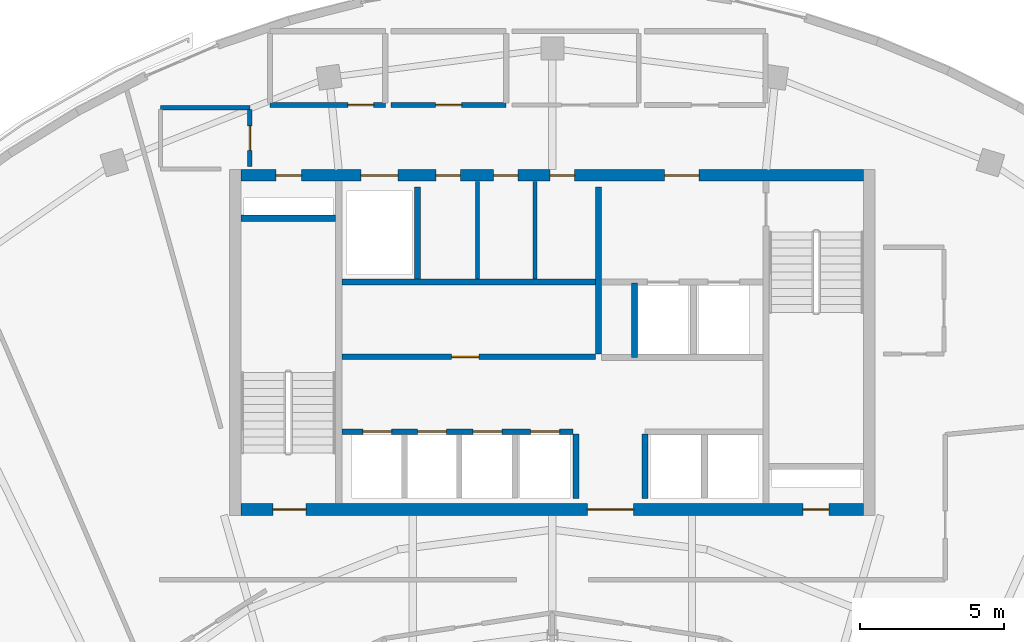
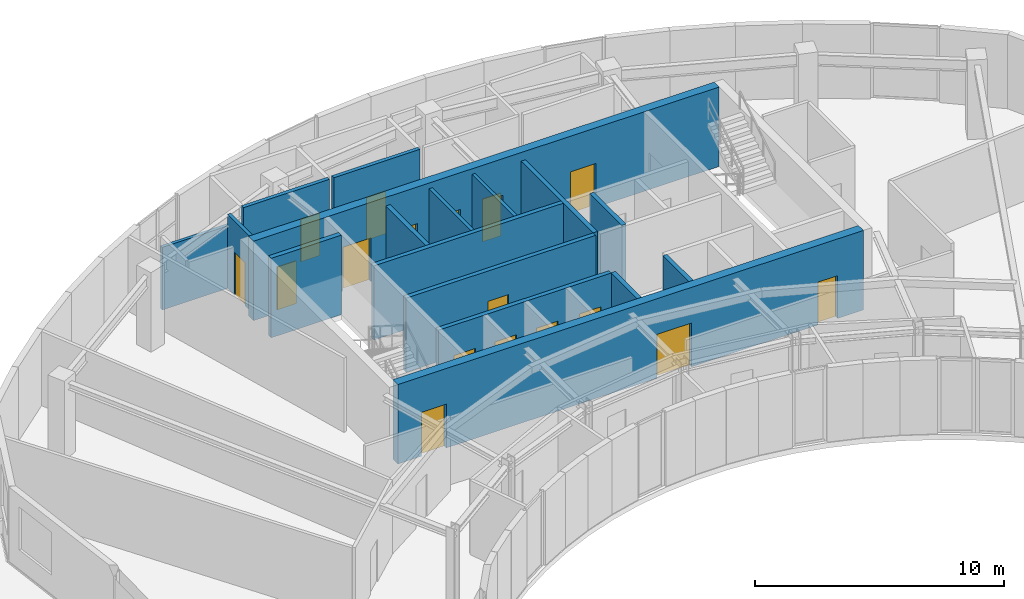
# One storey, part 7 of 11: 17 doors, 17 walls, 17 openings.
"""IFC4 building model written with IfcOpenShell, lengths in metres."""

from ifc_helpers import new_model, si_unit, direction, frame, frame_2d, origin, place, context, subcontext, project, spatial, rectangle, extrude, source, transform, mapped, material, layer, layer_set, type_object, type_shapes, element, fill, save


model = new_model("IFC4")

# Units and contexts
model_context = context("Model", 3, precision=1e-05, world=origin(), true_north=direction((0.0, 1.0)))
body_context = subcontext(model_context, "Body", "Model", "MODEL_VIEW")
ifc_project = project(units=[si_unit("LENGTHUNIT", "METRE"), si_unit("AREAUNIT", "SQUARE_METRE"), si_unit("VOLUMEUNIT", "CUBIC_METRE"), si_unit("PLANEANGLEUNIT", "RADIAN"), si_unit("MASSUNIT", "GRAM", prefix="KILO")], contexts=[model_context])

# Site, building, storey
site_placement = place(None, origin())
site = spatial("IfcSite", under=ifc_project, at=site_placement, CompositionType="ELEMENT")
building_placement = place(site_placement, origin())
building = spatial("IfcBuilding", under=site, at=building_placement, Name="Breltana Convention Tower", CompositionType="ELEMENT")
storey_placement = place(building_placement, frame((0.0, 0.0, 275.699951171875)))
storey = spatial("IfcBuildingStorey", under=building, at=storey_placement, Name="L67", CompositionType="ELEMENT", Elevation=275.699951171875)

# Wall
ifc_material_1 = material(Name="Concrete C50/60", Category="concrete")
ifc_layer_1 = layer(ifc_material_1, 0.39990234375, Name="Concrete C50/60")
ifc_layer_set_1 = layer_set([ifc_layer_1], Name="Concrete C50/60")
wall_type_1 = type_object("IfcWallType", Name="SW-CORE-400", PredefinedType="SHEAR", material=ifc_layer_set_1)
shared_shape_1 = source(origin(), body_context, "Body", "SweptSolid", [
    extrude(rectangle(XDim=3.27001953125, YDim=0.219970703125, at=frame_2d((1.635009765625, 0.0))), origin(), (0.0, 0.0, 1.0), 3.900146484375),
])
wall_1_placement = place(storey_placement, frame((37.199951171875, 70.510009765625, 0.0), z_axis=(0.0, 0.0, 1.0), x_axis=(1.0, 0.0, 0.0)))
element("IfcWall", 1, at=wall_1_placement, inside=storey, type_object=wall_type_1, Name="L67 ST-1 Stairwell North Bearing Wall", PredefinedType="SHEAR", context=body_context, shape_type="MappedRepresentation", body=[
    mapped(shared_shape_1, transform((0.0, 0.0, 0.0), scale=1.0)),
])

# Wall, openings, doors
shared_shape_2 = source(origin(), body_context, "Body", "SweptSolid", [
    extrude(rectangle(XDim=21.60009765625, YDim=0.39990234375, at=frame_2d((10.800048828125, 0.0))), origin(), (0.0, 0.0, 1.0), 3.900146484375),
])
wall_2_placement = place(storey_placement, frame((37.199951171875, 60.39990234375, 0.0), z_axis=(0.0, 0.0, 1.0), x_axis=(1.0, 0.0, 0.0)))
wall_2 = element("IfcWall", 2, at=wall_2_placement, inside=storey, type_object=wall_type_1, Name="L67 South Core Shear Wall", PredefinedType="SHEAR", context=body_context, shape_type="MappedRepresentation", body=[
    mapped(shared_shape_2, transform((0.0, 0.0, 0.0), scale=1.0)),
])
opening_1_placement = place(wall_2_placement, frame((1.10009765625, 0.0, 0.0)))
opening_1 = element("IfcOpeningElement", 3, at=opening_1_placement, cuts=wall_2, Name="Opening D-11", PredefinedType="OPENING", context=body_context, shape_type="SweptSolid", body=[
    extrude(rectangle(XDim=1.14990234375, YDim=2.14990234375, at=frame_2d((0.574951171875, 1.074951171875))), frame((0.0, 0.2099609375, 0.0), z_axis=(0.0, -1.0, 0.0), x_axis=(1.0, 0.0, 0.0)), (0.0, 0.0, 1.0), 0.419921875),
])
opening_2_placement = place(wall_2_placement, frame((19.5, 0.0, 0.0)))
opening_2 = element("IfcOpeningElement", 4, at=opening_2_placement, cuts=wall_2, Name="Opening D-18", PredefinedType="OPENING", context=body_context, shape_type="SweptSolid", body=[
    extrude(rectangle(XDim=0.89990234375, YDim=2.10009765625, at=frame_2d((0.449951171875, 1.050048828125))), frame((0.0, 0.2099609375, 0.0), z_axis=(0.0, -1.0, 0.0), x_axis=(1.0, 0.0, 0.0)), (0.0, 0.0, 1.0), 0.419921875),
])
opening_3_placement = place(wall_2_placement, frame((12.02001953125, 0.0, 0.0)))
opening_3 = element("IfcOpeningElement", 5, at=opening_3_placement, cuts=wall_2, Name="Opening D-02", PredefinedType="OPENING", context=body_context, shape_type="SweptSolid", body=[
    extrude(rectangle(XDim=1.60009765625, YDim=2.14990234375, at=frame_2d((0.800048828125, 1.074951171875))), frame((0.0, 0.2099609375, 0.0), z_axis=(0.0, -1.0, 0.0), x_axis=(1.0, 0.0, 0.0)), (0.0, 0.0, 1.0), 0.419921875),
])
ifc_material_2 = material(Name="Steel Stair Exit Door", Category="steel")
door_type_1 = type_object("IfcDoorType", Name="DR-FD120-1150", OperationType="NOTDEFINED", PredefinedType="DOOR", material=ifc_material_2)
shared_shape_3 = source(origin(), body_context, "Body", "SweptSolid", [
    extrude(rectangle(XDim=1.14990234375, YDim=2.14990234375, at=frame_2d((0.574951171875, 1.074951171875))), frame((0.0, 0.02490234375, 0.0), z_axis=(0.0, -1.0, 0.0), x_axis=(1.0, 0.0, 0.0)), (0.0, 0.0, 1.0), 0.050048828125),
])
type_shapes(door_type_1, [shared_shape_3])
door_1_placement = place(opening_1_placement, origin())
door_1 = element("IfcDoor", 6, at=door_1_placement, inside=storey, type_object=door_type_1, Name="L67 interior door D-L67-ST1", OperationType="SINGLE_SWING_LEFT", OverallHeight=2.14990234375, OverallWidth=1.14990234375, PredefinedType="DOOR", context=body_context, shape_type="MappedRepresentation", body=[
    mapped(shared_shape_3, transform((0.0, 0.0, 0.0), scale=1.0)),
])
fill(opening_1, door_1)
ifc_material_3 = material(Name="Steel Riser Fire Door", Category="steel")
door_type_2 = type_object("IfcDoorType", Name="DR-FD60-900", OperationType="NOTDEFINED", PredefinedType="DOOR", material=ifc_material_3)
shared_shape_4 = source(origin(), body_context, "Body", "SweptSolid", [
    extrude(rectangle(XDim=0.89990234375, YDim=2.10009765625, at=frame_2d((0.449951171875, 1.050048828125))), frame((0.0, 0.02490234375, 0.0), z_axis=(0.0, -1.0, 0.0), x_axis=(1.0, 0.0, 0.0)), (0.0, 0.0, 1.0), 0.050048828125),
])
type_shapes(door_type_2, [shared_shape_4])
door_2_placement = place(opening_2_placement, origin())
door_2 = element("IfcDoor", 7, at=door_2_placement, inside=storey, type_object=door_type_2, Name="L67 Core Riser Access Door D-L67-RS2", OperationType="SINGLE_SWING_RIGHT", OverallHeight=2.10009765625, OverallWidth=0.89990234375, PredefinedType="DOOR", context=body_context, shape_type="MappedRepresentation", body=[
    mapped(shared_shape_4, transform((0.0, 0.0, 0.0), scale=1.0)),
])
fill(opening_2, door_2)
ifc_material_4 = material(Name="Steel Glazed Smoke-Control Door", Category="steel")
door_type_3 = type_object("IfcDoorType", Name="DR-DBL-FD90-1600", OperationType="DOUBLE_DOOR_SINGLE_SWING", PredefinedType="DOOR", material=ifc_material_4)
shared_shape_5 = source(origin(), body_context, "Body", "SweptSolid", [
    extrude(rectangle(XDim=1.60009765625, YDim=2.14990234375, at=frame_2d((0.800048828125, 1.074951171875))), frame((0.0, 0.02490234375, 0.0), z_axis=(0.0, -1.0, 0.0), x_axis=(1.0, 0.0, 0.0)), (0.0, 0.0, 1.0), 0.050048828125),
])
type_shapes(door_type_3, [shared_shape_5])
door_3_placement = place(opening_3_placement, origin())
door_3 = element("IfcDoor", 8, at=door_3_placement, inside=storey, type_object=door_type_3, Name="L67 interior door D-L67-LLB-S", OperationType="DOUBLE_DOOR_SINGLE_SWING", OverallHeight=2.14990234375, OverallWidth=1.60009765625, PredefinedType="DOOR", context=body_context, shape_type="MappedRepresentation", body=[
    mapped(shared_shape_5, transform((0.0, 0.0, 0.0), scale=1.0)),
])
fill(opening_3, door_3)

wall_3_placement = place(storey_placement, frame((37.199951171875, 72.0, 0.0), z_axis=(0.0, 0.0, 1.0), x_axis=(1.0, 0.0, 0.0)))
wall_3 = element("IfcWall", 9, at=wall_3_placement, inside=storey, type_object=wall_type_1, Name="L67 North Core Shear Wall", PredefinedType="SHEAR", context=body_context, shape_type="MappedRepresentation", body=[
    mapped(shared_shape_2, transform((0.0, 0.0, 0.0), scale=1.0)),
])
opening_4_placement = place(wall_3_placement, frame((1.199951171875, 0.0, 0.0)))
opening_4 = element("IfcOpeningElement", 10, at=opening_4_placement, cuts=wall_3, Name="Opening D-18", PredefinedType="OPENING", context=body_context, shape_type="SweptSolid", body=[
    extrude(rectangle(XDim=0.89990234375, YDim=2.10009765625, at=frame_2d((0.449951171875, 1.050048828125))), frame((0.0, 0.2099609375, 0.0), z_axis=(0.0, -1.0, 0.0), x_axis=(1.0, 0.0, 0.0)), (0.0, 0.0, 1.0), 0.419921875),
])
opening_5_placement = place(wall_3_placement, frame((14.699951171875, 0.0, 0.0)))
opening_5 = element("IfcOpeningElement", 11, at=opening_5_placement, cuts=wall_3, Name="Opening D-09", PredefinedType="OPENING", context=body_context, shape_type="SweptSolid", body=[
    extrude(rectangle(XDim=1.199951171875, YDim=2.14990234375, at=frame_2d((0.60009765625, 1.074951171875))), frame((0.0, 0.2099609375, 0.0), z_axis=(0.0, -1.0, 0.0), x_axis=(1.0, 0.0, 0.0)), (0.0, 0.0, 1.0), 0.419921875),
])
opening_6_placement = place(wall_3_placement, frame((4.14990234375, 0.0, 0.0)))
opening_6 = element("IfcOpeningElement", 12, at=opening_6_placement, cuts=wall_3, Name="Opening LD-01", PredefinedType="OPENING", context=body_context, shape_type="SweptSolid", body=[
    extrude(rectangle(XDim=1.300048828125, YDim=2.14990234375, at=frame_2d((0.64990234375, 1.074951171875))), frame((0.0, 0.2099609375, 0.0), z_axis=(0.0, -1.0, 0.0), x_axis=(1.0, 0.0, 0.0)), (0.0, 0.0, 1.0), 0.419921875),
])
opening_7_placement = place(wall_3_placement, frame((6.760009765625, 0.0, 0.0)))
opening_7 = element("IfcOpeningElement", 13, at=opening_7_placement, cuts=wall_3, Name="Opening D-20", PredefinedType="OPENING", context=body_context, shape_type="SweptSolid", body=[
    extrude(rectangle(XDim=0.85009765625, YDim=2.10009765625, at=frame_2d((0.425048828125, 1.050048828125))), frame((0.0, 0.2099609375, 0.0), z_axis=(0.0, -1.0, 0.0), x_axis=(1.0, 0.0, 0.0)), (0.0, 0.0, 1.0), 0.419921875),
])
opening_8_placement = place(wall_3_placement, frame((8.760009765625, 0.0, 0.0)))
opening_8 = element("IfcOpeningElement", 14, at=opening_8_placement, cuts=wall_3, Name="Opening D-20", PredefinedType="OPENING", context=body_context, shape_type="SweptSolid", body=[
    extrude(rectangle(XDim=0.85009765625, YDim=2.10009765625, at=frame_2d((0.425048828125, 1.050048828125))), frame((0.0, 0.2099609375, 0.0), z_axis=(0.0, -1.0, 0.0), x_axis=(1.0, 0.0, 0.0)), (0.0, 0.0, 1.0), 0.419921875),
])
opening_9_placement = place(wall_3_placement, frame((10.72509765625, 0.0, 0.0)))
opening_9 = element("IfcOpeningElement", 15, at=opening_9_placement, cuts=wall_3, Name="Opening D-20", PredefinedType="OPENING", context=body_context, shape_type="SweptSolid", body=[
    extrude(rectangle(XDim=0.85009765625, YDim=2.10009765625, at=frame_2d((0.425048828125, 1.050048828125))), frame((0.0, 0.2099609375, 0.0), z_axis=(0.0, -1.0, 0.0), x_axis=(1.0, 0.0, 0.0)), (0.0, 0.0, 1.0), 0.419921875),
])
door_4_placement = place(opening_4_placement, origin())
door_4 = element("IfcDoor", 16, at=door_4_placement, inside=storey, type_object=door_type_2, Name="L67 Core Riser Access Door D-L67-RS1", OperationType="SINGLE_SWING_LEFT", OverallHeight=2.10009765625, OverallWidth=0.89990234375, PredefinedType="DOOR", context=body_context, shape_type="MappedRepresentation", body=[
    mapped(shared_shape_4, transform((0.0, 0.0, 0.0), scale=1.0)),
])
fill(opening_4, door_4)
ifc_material_5 = material(Name="Steel Fire Lobby Door", Category="steel")
door_type_4 = type_object("IfcDoorType", Name="DR-FD120-1200", OperationType="NOTDEFINED", PredefinedType="DOOR", material=ifc_material_5)
shared_shape_6 = source(origin(), body_context, "Body", "SweptSolid", [
    extrude(rectangle(XDim=1.199951171875, YDim=2.14990234375, at=frame_2d((0.60009765625, 1.074951171875))), frame((0.0, 0.02490234375, 0.0), z_axis=(0.0, -1.0, 0.0), x_axis=(1.0, 0.0, 0.0)), (0.0, 0.0, 1.0), 0.050048828125),
])
type_shapes(door_type_4, [shared_shape_6])
door_5_placement = place(opening_5_placement, origin())
door_5 = element("IfcDoor", 17, at=door_5_placement, inside=storey, type_object=door_type_4, Name="L67 interior door D-L67-FFL-N", OperationType="SINGLE_SWING_RIGHT", OverallHeight=2.14990234375, OverallWidth=1.199951171875, PredefinedType="DOOR", context=body_context, shape_type="MappedRepresentation", body=[
    mapped(shared_shape_6, transform((0.0, 0.0, 0.0), scale=1.0)),
])
fill(opening_5, door_5)
ifc_material_6 = material(Name="Stainless Steel Brushed", Category="steel")
door_type_5 = type_object("IfcDoorType", Name="DR-LD-SRV-1300", OperationType="DOUBLE_DOOR_SLIDING", PredefinedType="DOOR", material=ifc_material_6)
shared_shape_7 = source(origin(), body_context, "Body", "SweptSolid", [
    extrude(rectangle(XDim=1.300048828125, YDim=2.14990234375, at=frame_2d((0.64990234375, 1.074951171875))), frame((0.0, 0.02490234375, 0.0), z_axis=(0.0, -1.0, 0.0), x_axis=(1.0, 0.0, 0.0)), (0.0, 0.0, 1.0), 0.050048828125),
])
type_shapes(door_type_5, [shared_shape_7])
door_6_placement = place(opening_6_placement, origin())
door_6 = element("IfcDoor", 18, at=door_6_placement, inside=storey, type_object=door_type_5, Name="L67 Lift Landing Door D-L67-LD-SV1", OperationType="DOUBLE_DOOR_SLIDING", OverallHeight=2.14990234375, OverallWidth=1.300048828125, PredefinedType="DOOR", context=body_context, shape_type="MappedRepresentation", body=[
    mapped(shared_shape_7, transform((0.0, 0.0, 0.0), scale=1.0)),
])
fill(opening_6, door_6)
ifc_material_7 = material(Name="Steel Closet Fire Door", Category="steel")
door_type_6 = type_object("IfcDoorType", Name="DR-FD60-850", OperationType="NOTDEFINED", PredefinedType="DOOR", material=ifc_material_7)
shared_shape_8 = source(origin(), body_context, "Body", "SweptSolid", [
    extrude(rectangle(XDim=0.85009765625, YDim=2.10009765625, at=frame_2d((0.425048828125, 1.050048828125))), frame((0.0, 0.02490234375, 0.0), z_axis=(0.0, -1.0, 0.0), x_axis=(1.0, 0.0, 0.0)), (0.0, 0.0, 1.0), 0.050048828125),
])
type_shapes(door_type_6, [shared_shape_8])
door_7_placement = place(opening_7_placement, origin())
door_7 = element("IfcDoor", 19, at=door_7_placement, inside=storey, type_object=door_type_6, Name="L67 interior door D-L67-CRA1", OperationType="SINGLE_SWING_LEFT", OverallHeight=2.10009765625, OverallWidth=0.85009765625, PredefinedType="DOOR", context=body_context, shape_type="MappedRepresentation", body=[
    mapped(shared_shape_8, transform((0.0, 0.0, 0.0), scale=1.0)),
])
fill(opening_7, door_7)
door_8_placement = place(opening_8_placement, origin())
door_8 = element("IfcDoor", 20, at=door_8_placement, inside=storey, type_object=door_type_6, Name="L67 interior door D-L67-CRA2", OperationType="SINGLE_SWING_RIGHT", OverallHeight=2.10009765625, OverallWidth=0.85009765625, PredefinedType="DOOR", context=body_context, shape_type="MappedRepresentation", body=[
    mapped(shared_shape_8, transform((0.0, 0.0, 0.0), scale=1.0)),
])
fill(opening_8, door_8)
door_9_placement = place(opening_9_placement, origin())
door_9 = element("IfcDoor", 21, at=door_9_placement, inside=storey, type_object=door_type_6, Name="L67 interior door D-L67-CRA3", OperationType="SINGLE_SWING_LEFT", OverallHeight=2.10009765625, OverallWidth=0.85009765625, PredefinedType="DOOR", context=body_context, shape_type="MappedRepresentation", body=[
    mapped(shared_shape_8, transform((0.0, 0.0, 0.0), scale=1.0)),
])
fill(opening_9, door_9)

# Walls
ifc_material_8 = material(Name="Autoclaved Aerated Concrete Block", Category="concrete")
ifc_layer_2 = layer(ifc_material_8, 0.199951171875, Name="Autoclaved Aerated Concrete Block")
ifc_layer_set_2 = layer_set([ifc_layer_2], Name="Autoclaved Aerated Concrete Block")
wall_type_2 = type_object("IfcWallType", Name="WL-SHAFT-200", PredefinedType="SOLIDWALL", material=ifc_layer_set_2)
shared_shape_9 = source(origin(), body_context, "Body", "SweptSolid", [
    extrude(rectangle(XDim=2.239990234375, YDim=0.199951171875, at=frame_2d((1.1201171875, 0.0))), origin(), (0.0, 0.0, 1.0), 3.64013671875),
])
for number, where, z_axis, x_axis, name in (
    (22, (48.820068359375, 60.780029296875, 0.0), (0.0, 0.0, 1.0), (0.0, 1.0, 0.0), "L67 interior partition W-L67-PORT-W"),
    (23, (51.219970703125, 60.780029296875, 0.0), (0.0, 0.0, 1.0), (0.0, 1.0, 0.0), "L67 interior partition W-L67-PORT-E"),
):
    element("IfcWall", number, at=place(storey_placement, frame(where, z_axis=z_axis, x_axis=x_axis)), inside=storey, type_object=wall_type_2, Name=name, PredefinedType="SOLIDWALL", context=body_context, shape_type="MappedRepresentation", body=[
        mapped(shared_shape_9, transform((0.0, 0.0, 0.0), scale=1.0)),
    ])
shared_shape_10 = source(origin(), body_context, "Body", "SweptSolid", [
    extrude(rectangle(XDim=5.800048828125, YDim=0.199951171875, at=frame_2d((2.89990234375, 0.0))), origin(), (0.0, 0.0, 1.0), 3.64013671875),
])
wall_4_placement = place(storey_placement, frame((49.60009765625, 65.800048828125, 0.0), z_axis=(0.0, 0.0, 1.0), x_axis=(0.0, 1.0, 0.0)))
element("IfcWall", 24, at=wall_4_placement, inside=storey, type_object=wall_type_2, Name="L67 interior partition W-L67-FFL-W", PredefinedType="SOLIDWALL", context=body_context, shape_type="MappedRepresentation", body=[
    mapped(shared_shape_10, transform((0.0, 0.0, 0.0), scale=1.0)),
])
shared_shape_11 = source(origin(), body_context, "Body", "SweptSolid", [
    extrude(rectangle(XDim=2.580078125, YDim=0.199951171875, at=frame_2d((1.2900390625, 0.0))), origin(), (0.0, 0.0, 1.0), 3.64013671875),
])
wall_5_placement = place(storey_placement, frame((50.85009765625, 65.679931640625, 0.0), z_axis=(0.0, 0.0, 1.0), x_axis=(0.0, 1.0, 0.0)))
element("IfcWall", 25, at=wall_5_placement, inside=storey, type_object=wall_type_2, Name="L67 interior partition W-L67-FL-W", PredefinedType="SOLIDWALL", context=body_context, shape_type="MappedRepresentation", body=[
    mapped(shared_shape_11, transform((0.0, 0.0, 0.0), scale=1.0)),
])
shared_shape_12 = source(origin(), body_context, "Body", "SweptSolid", [
    extrude(rectangle(XDim=3.2001953125, YDim=0.199951171875, at=frame_2d((1.60009765625, 0.0))), origin(), (0.0, 0.0, 1.0), 3.64013671875),
])
wall_6_placement = place(storey_placement, frame((43.320068359375, 68.39990234375, 0.0), z_axis=(0.0, 0.0, 1.0), x_axis=(0.0, 1.0, 0.0)))
element("IfcWall", 26, at=wall_6_placement, inside=storey, type_object=wall_type_2, Name="L67 interior partition W-L67-SV-E", PredefinedType="SOLIDWALL", context=body_context, shape_type="MappedRepresentation", body=[
    mapped(shared_shape_12, transform((0.0, 0.0, 0.0), scale=1.0)),
])
shared_shape_13 = source(origin(), body_context, "Body", "SweptSolid", [
    extrude(rectangle(XDim=8.800048828125, YDim=0.199951171875, at=frame_2d((4.39990234375, 0.0))), origin(), (0.0, 0.0, 1.0), 3.64013671875),
])
wall_7_placement = place(storey_placement, frame((40.699951171875, 68.300048828125, 0.0), z_axis=(0.0, 0.0, 1.0), x_axis=(1.0, 0.0, 0.0)))
element("IfcWall", 27, at=wall_7_placement, inside=storey, type_object=wall_type_2, Name="L67 interior partition W-L67-SV-S", PredefinedType="SOLIDWALL", context=body_context, shape_type="MappedRepresentation", body=[
    mapped(shared_shape_13, transform((0.0, 0.0, 0.0), scale=1.0)),
])

# Wall, opening, door
wall_8_placement = place(storey_placement, frame((40.699951171875, 65.699951171875, 0.0), z_axis=(0.0, 0.0, 1.0), x_axis=(1.0, 0.0, 0.0)))
wall_8 = element("IfcWall", 28, at=wall_8_placement, inside=storey, type_object=wall_type_2, Name="L67 interior partition W-L67-SH-M-FRONT", PredefinedType="SOLIDWALL", context=body_context, shape_type="MappedRepresentation", body=[
    mapped(shared_shape_13, transform((0.0, 0.0, 0.0), scale=1.0)),
])
opening_10_placement = place(wall_8_placement, frame((3.800048828125, 0.0, 0.0)))
opening_10 = element("IfcOpeningElement", 29, at=opening_10_placement, cuts=wall_8, Name="Opening D-14", PredefinedType="OPENING", context=body_context, shape_type="SweptSolid", body=[
    extrude(rectangle(XDim=0.949951171875, YDim=2.14990234375, at=frame_2d((0.47509765625, 1.074951171875))), frame((0.0, 0.10986328125, 0.0), z_axis=(0.0, -1.0, 0.0), x_axis=(1.0, 0.0, 0.0)), (0.0, 0.0, 1.0), 0.219970703125),
])
ifc_material_9 = material(Name="Timber Solid-Core Fire Door", Category="wood")
door_type_7 = type_object("IfcDoorType", Name="DR-FD60-950", OperationType="NOTDEFINED", PredefinedType="DOOR", material=ifc_material_9)
shared_shape_14 = source(origin(), body_context, "Body", "SweptSolid", [
    extrude(rectangle(XDim=0.949951171875, YDim=2.14990234375, at=frame_2d((0.47509765625, 1.074951171875))), frame((0.0, 0.02490234375, 0.0), z_axis=(0.0, -1.0, 0.0), x_axis=(1.0, 0.0, 0.0)), (0.0, 0.0, 1.0), 0.050048828125),
])
type_shapes(door_type_7, [shared_shape_14])
door_10_placement = place(opening_10_placement, origin())
door_10 = element("IfcDoor", 30, at=door_10_placement, inside=storey, type_object=door_type_7, Name="L67 interior door D-L67-LV7-B2A", OperationType="SINGLE_SWING_RIGHT", OverallHeight=2.14990234375, OverallWidth=0.949951171875, PredefinedType="DOOR", context=body_context, shape_type="MappedRepresentation", body=[
    mapped(shared_shape_14, transform((0.0, 0.0, 0.0), scale=1.0)),
])
fill(opening_10, door_10)

# Wall, openings, doors
shared_shape_15 = source(origin(), body_context, "Body", "SweptSolid", [
    extrude(rectangle(XDim=8.02001953125, YDim=0.199951171875, at=frame_2d((4.010009765625, 0.0))), origin(), (0.0, 0.0, 1.0), 3.64013671875),
])
wall_9_placement = place(storey_placement, frame((40.699951171875, 63.10009765625, 0.0), z_axis=(0.0, 0.0, 1.0), x_axis=(1.0, 0.0, 0.0)))
wall_9 = element("IfcWall", 31, at=wall_9_placement, inside=storey, type_object=wall_type_2, Name="L67 interior partition W-L67-SH-S-FRONT", PredefinedType="SOLIDWALL", context=body_context, shape_type="MappedRepresentation", body=[
    mapped(shared_shape_15, transform((0.0, 0.0, 0.0), scale=1.0)),
])
opening_11_placement = place(wall_9_placement, frame((0.719970703125, 0.0, 0.0)))
opening_11 = element("IfcOpeningElement", 32, at=opening_11_placement, cuts=wall_9, Name="Opening LD-04", PredefinedType="OPENING", context=body_context, shape_type="SweptSolid", body=[
    extrude(rectangle(XDim=1.0, YDim=2.14990234375, at=frame_2d((0.5, 1.074951171875))), frame((0.0, 0.10986328125, 0.0), z_axis=(0.0, -1.0, 0.0), x_axis=(1.0, 0.0, 0.0)), (0.0, 0.0, 1.0), 0.219970703125),
])
opening_12_placement = place(wall_9_placement, frame((2.6201171875, 0.0, 0.0)))
opening_12 = element("IfcOpeningElement", 33, at=opening_12_placement, cuts=wall_9, Name="Opening LD-04", PredefinedType="OPENING", context=body_context, shape_type="SweptSolid", body=[
    extrude(rectangle(XDim=1.0, YDim=2.14990234375, at=frame_2d((0.5, 1.074951171875))), frame((0.0, 0.10986328125, 0.0), z_axis=(0.0, -1.0, 0.0), x_axis=(1.0, 0.0, 0.0)), (0.0, 0.0, 1.0), 0.219970703125),
])
opening_13_placement = place(wall_9_placement, frame((4.550048828125, 0.0, 0.0)))
opening_13 = element("IfcOpeningElement", 34, at=opening_13_placement, cuts=wall_9, Name="Opening LD-04", PredefinedType="OPENING", context=body_context, shape_type="SweptSolid", body=[
    extrude(rectangle(XDim=1.0, YDim=2.14990234375, at=frame_2d((0.5, 1.074951171875))), frame((0.0, 0.10986328125, 0.0), z_axis=(0.0, -1.0, 0.0), x_axis=(1.0, 0.0, 0.0)), (0.0, 0.0, 1.0), 0.219970703125),
])
opening_14_placement = place(wall_9_placement, frame((6.550048828125, 0.0, 0.0)))
opening_14 = element("IfcOpeningElement", 35, at=opening_14_placement, cuts=wall_9, Name="Opening LD-04", PredefinedType="OPENING", context=body_context, shape_type="SweptSolid", body=[
    extrude(rectangle(XDim=1.0, YDim=2.14990234375, at=frame_2d((0.5, 1.074951171875))), frame((0.0, 0.10986328125, 0.0), z_axis=(0.0, -1.0, 0.0), x_axis=(1.0, 0.0, 0.0)), (0.0, 0.0, 1.0), 0.219970703125),
])
door_type_8 = type_object("IfcDoorType", Name="DR-LD-PAX-1000", OperationType="DOUBLE_DOOR_SLIDING", PredefinedType="DOOR", material=ifc_material_6)
shared_shape_16 = source(origin(), body_context, "Body", "SweptSolid", [
    extrude(rectangle(XDim=1.0, YDim=2.14990234375, at=frame_2d((0.5, 1.074951171875))), frame((0.0, 0.02490234375, 0.0), z_axis=(0.0, -1.0, 0.0), x_axis=(1.0, 0.0, 0.0)), (0.0, 0.0, 1.0), 0.050048828125),
])
type_shapes(door_type_8, [shared_shape_16])
door_11_placement = place(opening_11_placement, origin())
door_11 = element("IfcDoor", 36, at=door_11_placement, inside=storey, type_object=door_type_8, Name="L67 Lift Landing Door D-L67-LD-S1", OperationType="DOUBLE_DOOR_SLIDING", OverallHeight=2.14990234375, OverallWidth=1.0, PredefinedType="DOOR", context=body_context, shape_type="MappedRepresentation", body=[
    mapped(shared_shape_16, transform((0.0, 0.0, 0.0), scale=1.0)),
])
fill(opening_11, door_11)
door_12_placement = place(opening_12_placement, origin())
door_12 = element("IfcDoor", 37, at=door_12_placement, inside=storey, type_object=door_type_8, Name="L67 Lift Landing Door D-L67-LD-S2", OperationType="DOUBLE_DOOR_SLIDING", OverallHeight=2.14990234375, OverallWidth=1.0, PredefinedType="DOOR", context=body_context, shape_type="MappedRepresentation", body=[
    mapped(shared_shape_16, transform((0.0, 0.0, 0.0), scale=1.0)),
])
fill(opening_12, door_12)
door_13_placement = place(opening_13_placement, origin())
door_13 = element("IfcDoor", 38, at=door_13_placement, inside=storey, type_object=door_type_8, Name="L67 Lift Landing Door D-L67-LD-S3", OperationType="DOUBLE_DOOR_SLIDING", OverallHeight=2.14990234375, OverallWidth=1.0, PredefinedType="DOOR", context=body_context, shape_type="MappedRepresentation", body=[
    mapped(shared_shape_16, transform((0.0, 0.0, 0.0), scale=1.0)),
])
fill(opening_13, door_13)
door_14_placement = place(opening_14_placement, origin())
door_14 = element("IfcDoor", 39, at=door_14_placement, inside=storey, type_object=door_type_8, Name="L67 Lift Landing Door D-L67-LD-S4", OperationType="DOUBLE_DOOR_SLIDING", OverallHeight=2.14990234375, OverallWidth=1.0, PredefinedType="DOOR", context=body_context, shape_type="MappedRepresentation", body=[
    mapped(shared_shape_16, transform((0.0, 0.0, 0.0), scale=1.0)),
])
fill(opening_14, door_14)

# Wall
ifc_material_10 = material(Name="Gypsum Acoustic Drywall Partition")
ifc_layer_3 = layer(ifc_material_10, 0.14990234375, Name="Gypsum Acoustic Drywall Partition")
ifc_layer_set_3 = layer_set([ifc_layer_3], Name="Gypsum Acoustic Drywall Partition")
wall_type_3 = type_object("IfcWallType", Name="WL-PART-150", PredefinedType="PARTITIONING", material=ifc_layer_set_3)
shared_shape_17 = source(origin(), body_context, "Body", "SweptSolid", [
    extrude(rectangle(XDim=3.10009765625, YDim=0.14990234375, at=frame_2d((1.550048828125, 0.0))), origin(), (0.0, 0.0, 1.0), 3.071044921875),
])
wall_10_placement = place(storey_placement, frame((34.39990234375, 74.35009765625, 0.0), z_axis=(0.0, 0.0, 1.0), x_axis=(1.0, 0.0, 0.0)))
element("IfcWall", 40, at=wall_10_placement, inside=storey, type_object=wall_type_3, Name="L67 interior partition W-L67-CRNE-N", PredefinedType="PARTITIONING", context=body_context, shape_type="MappedRepresentation", body=[
    mapped(shared_shape_17, transform((0.0, 0.0, 0.0), scale=1.0)),
])

# Wall, opening, door
shared_shape_18 = source(origin(), body_context, "Body", "SweptSolid", [
    extrude(rectangle(XDim=1.982421875, YDim=0.14990234375, at=frame_2d((0.9912109375, 0.0))), origin(), (0.0, 0.0, 1.0), 3.64013671875),
])
wall_11_placement = place(storey_placement, frame((37.5, 72.300048828125, 0.0), z_axis=(0.0, 0.0, 1.0), x_axis=(0.0, 1.0, 0.0)))
wall_11 = element("IfcWall", 41, at=wall_11_placement, inside=storey, type_object=wall_type_3, Name="L67 interior partition W-L67-CRNE-E", PredefinedType="PARTITIONING", context=body_context, shape_type="MappedRepresentation", body=[
    mapped(shared_shape_18, transform((0.0, 0.0, 0.0), scale=1.0)),
])
opening_15_placement = place(wall_11_placement, frame((0.56640625, 0.0, 0.0)))
opening_15 = element("IfcOpeningElement", 42, at=opening_15_placement, cuts=wall_11, Name="Opening D-20", PredefinedType="OPENING", context=body_context, shape_type="SweptSolid", body=[
    extrude(rectangle(XDim=0.85009765625, YDim=2.10009765625, at=frame_2d((0.425048828125, 1.050048828125))), frame((0.0, 0.0849609375, 0.0), z_axis=(0.0, -1.0, 0.0), x_axis=(1.0, 0.0, 0.0)), (0.0, 0.0, 1.0), 0.169921875),
])
door_15_placement = place(opening_15_placement, origin())
door_15 = element("IfcDoor", 43, at=door_15_placement, inside=storey, type_object=door_type_6, Name="L67 interior door D-L67-CRNE", OperationType="SINGLE_SWING_LEFT", OverallHeight=2.10009765625, OverallWidth=0.85009765625, PredefinedType="DOOR", context=body_context, shape_type="MappedRepresentation", body=[
    mapped(shared_shape_8, transform((0.0, 0.0, 0.0), scale=1.0)),
])
fill(opening_15, door_15)

ifc_material_11 = material(Name="Cement Board Wet-Area Partition")
ifc_layer_4 = layer(ifc_material_11, 0.175048828125, Name="Cement Board Wet-Area Partition")
ifc_layer_set_4 = layer_set([ifc_layer_4], Name="Cement Board Wet-Area Partition")
wall_type_4 = type_object("IfcWallType", Name="WL-WET-175", PredefinedType="PARTITIONING", material=ifc_layer_set_4)
shared_shape_19 = source(origin(), body_context, "Body", "SweptSolid", [
    extrude(rectangle(XDim=4.0, YDim=0.175048828125, at=frame_2d((2.0, 0.0))), origin(), (0.0, 0.0, 1.0), 3.64013671875),
])
wall_12_placement = place(storey_placement, frame((38.199951171875, 74.43994140625, 0.0), z_axis=(0.0, 0.0, 1.0), x_axis=(1.0, 0.0, 0.0)))
wall_12 = element("IfcWall", 44, at=wall_12_placement, inside=storey, type_object=wall_type_4, Name="L67 interior partition W-L67-WCM-S", PredefinedType="PARTITIONING", context=body_context, shape_type="MappedRepresentation", body=[
    mapped(shared_shape_19, transform((0.0, 0.0, 0.0), scale=1.0)),
])
opening_16_placement = place(wall_12_placement, frame((2.699951171875, 0.0, 0.0)))
opening_16 = element("IfcOpeningElement", 45, at=opening_16_placement, cuts=wall_12, Name="Opening D-19", PredefinedType="OPENING", context=body_context, shape_type="SweptSolid", body=[
    extrude(rectangle(XDim=0.89990234375, YDim=2.080078125, at=frame_2d((0.449951171875, 1.0400390625))), frame((0.0, 0.09765625, 0.0), z_axis=(0.0, -1.0, 0.0), x_axis=(1.0, 0.0, 0.0)), (0.0, 0.0, 1.0), 0.195068359375),
])
ifc_material_12 = material(Name="Timber Moisture-Resistant Door", Category="wood")
door_type_9 = type_object("IfcDoorType", Name="DR-WC-900", OperationType="NOTDEFINED", PredefinedType="DOOR", material=ifc_material_12)
shared_shape_20 = source(origin(), body_context, "Body", "SweptSolid", [
    extrude(rectangle(XDim=0.89990234375, YDim=2.080078125, at=frame_2d((0.449951171875, 1.0400390625))), frame((0.0, 0.02490234375, 0.0), z_axis=(0.0, -1.0, 0.0), x_axis=(1.0, 0.0, 0.0)), (0.0, 0.0, 1.0), 0.050048828125),
])
type_shapes(door_type_9, [shared_shape_20])
door_16_placement = place(opening_16_placement, origin())
door_16 = element("IfcDoor", 46, at=door_16_placement, inside=storey, type_object=door_type_9, Name="L67 interior door D-L67-WCM", OperationType="SINGLE_SWING_LEFT", OverallHeight=2.080078125, OverallWidth=0.89990234375, PredefinedType="DOOR", context=body_context, shape_type="MappedRepresentation", body=[
    mapped(shared_shape_20, transform((0.0, 0.0, 0.0), scale=1.0)),
])
fill(opening_16, door_16)

wall_13_placement = place(storey_placement, frame((42.39990234375, 74.43994140625, 0.0), z_axis=(0.0, 0.0, 1.0), x_axis=(1.0, 0.0, 0.0)))
wall_13 = element("IfcWall", 47, at=wall_13_placement, inside=storey, type_object=wall_type_4, Name="L67 interior partition W-L67-WCF-S", PredefinedType="PARTITIONING", context=body_context, shape_type="MappedRepresentation", body=[
    mapped(shared_shape_19, transform((0.0, 0.0, 0.0), scale=1.0)),
])
opening_17_placement = place(wall_13_placement, frame((1.550048828125, 0.0, 0.0)))
opening_17 = element("IfcOpeningElement", 48, at=opening_17_placement, cuts=wall_13, Name="Opening D-19", PredefinedType="OPENING", context=body_context, shape_type="SweptSolid", body=[
    extrude(rectangle(XDim=0.89990234375, YDim=2.080078125, at=frame_2d((0.449951171875, 1.0400390625))), frame((0.0, 0.09765625, 0.0), z_axis=(0.0, -1.0, 0.0), x_axis=(1.0, 0.0, 0.0)), (0.0, 0.0, 1.0), 0.195068359375),
])
door_17_placement = place(opening_17_placement, origin())
door_17 = element("IfcDoor", 49, at=door_17_placement, inside=storey, type_object=door_type_9, Name="L67 interior door D-L67-WCF", OperationType="SINGLE_SWING_RIGHT", OverallHeight=2.080078125, OverallWidth=0.89990234375, PredefinedType="DOOR", context=body_context, shape_type="MappedRepresentation", body=[
    mapped(shared_shape_20, transform((0.0, 0.0, 0.0), scale=1.0)),
])
fill(opening_17, door_17)

# Walls
shared_shape_21 = source(origin(), body_context, "Body", "SweptSolid", [
    extrude(rectangle(XDim=3.380126953125, YDim=0.14990234375, at=frame_2d((1.68994140625, 0.0))), origin(), (0.0, 0.0, 1.0), 3.64013671875),
])
for number, where, z_axis, x_axis, name in (
    (50, (45.39990234375, 68.39990234375, 0.0), (0.0, 0.0, 1.0), (0.0, 1.0, 0.0), "L67 interior partition W-L67-KV-1"),
    (51, (47.39990234375, 68.39990234375, 0.0), (0.0, 0.0, 1.0), (0.0, 1.0, 0.0), "L67 interior partition W-L67-KV-2"),
):
    element("IfcWall", number, at=place(storey_placement, frame(where, z_axis=z_axis, x_axis=x_axis)), inside=storey, type_object=wall_type_3, Name=name, PredefinedType="PARTITIONING", context=body_context, shape_type="MappedRepresentation", body=[
        mapped(shared_shape_21, transform((0.0, 0.0, 0.0), scale=1.0)),
    ])

save(model, "model.ifc")
